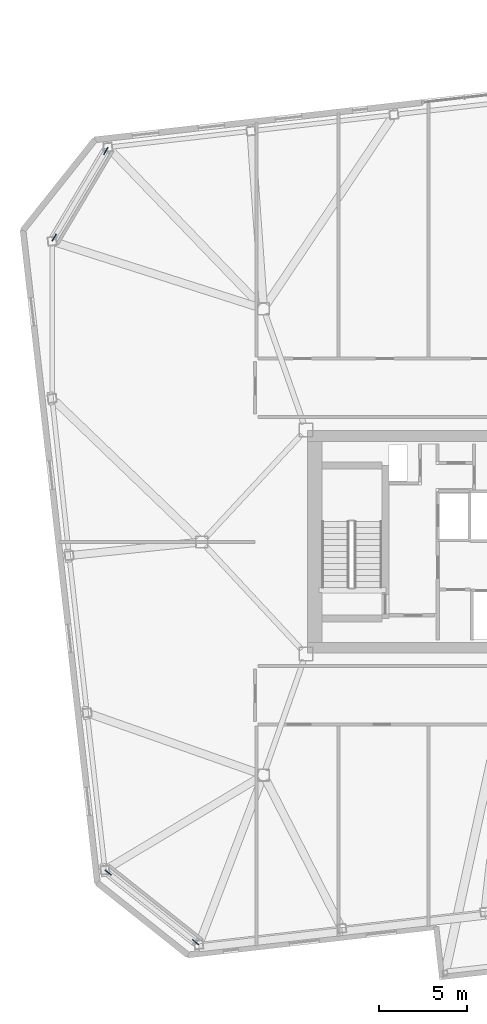
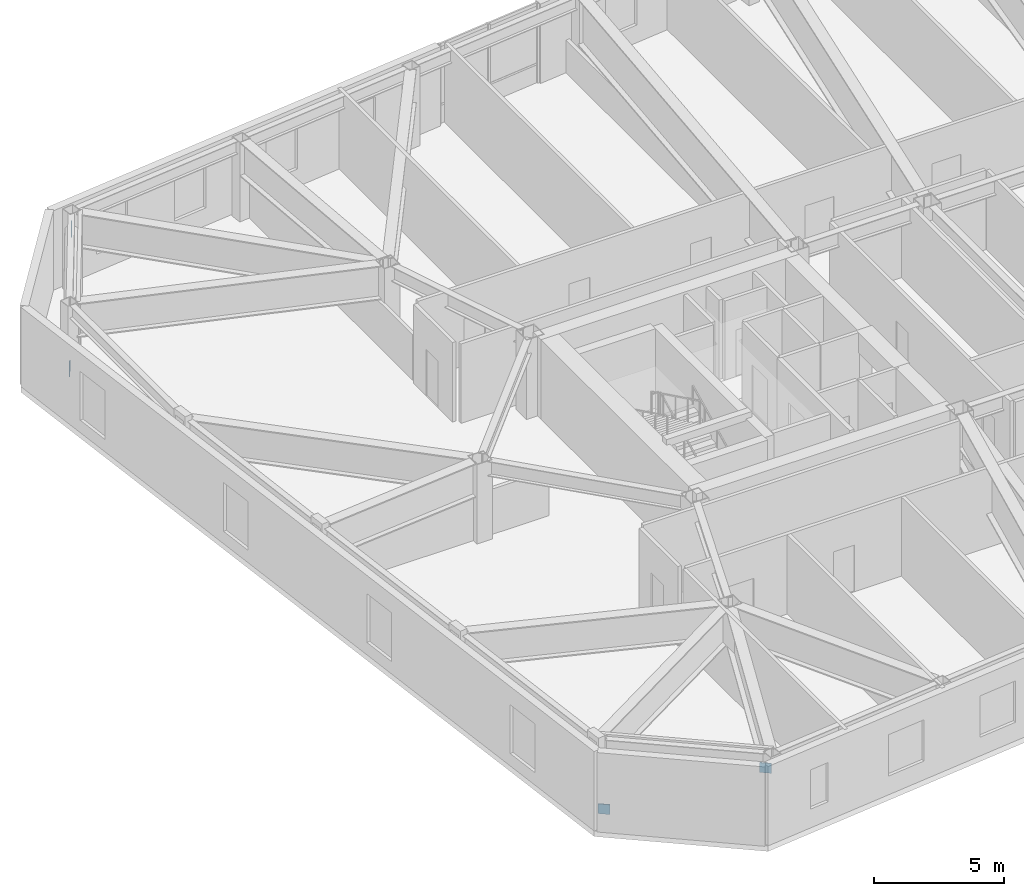
# One storey, part 16 of 18: 4 discrete accessories.
"""IFC4 building model written with IfcOpenShell, lengths in metres."""

from ifc_helpers import new_model, si_unit, direction, frame, origin, origin_2d, place, context, subcontext, project, spatial, rectangle, extrude, material, type_object, element, save


model = new_model("IFC4")

# Units and contexts
model_context = context("Model", 3, precision=1e-05, world=origin(), true_north=direction((0.0, 1.0)))
body_context = subcontext(model_context, "Body", "Model", "MODEL_VIEW")
ifc_project = project(units=[si_unit("LENGTHUNIT", "METRE"), si_unit("AREAUNIT", "SQUARE_METRE"), si_unit("VOLUMEUNIT", "CUBIC_METRE"), si_unit("PLANEANGLEUNIT", "RADIAN"), si_unit("MASSUNIT", "GRAM", prefix="KILO")], contexts=[model_context])

# Site, building, storey
site_placement = place(None, origin())
site = spatial("IfcSite", under=ifc_project, at=site_placement, CompositionType="ELEMENT")
building_placement = place(site_placement, origin())
building = spatial("IfcBuilding", under=site, at=building_placement, Name="Tavrogorsk Clinical Tower", CompositionType="ELEMENT")
storey_placement = place(building_placement, frame((0.0, 0.0, 222.199951171875)))
storey = spatial("IfcBuildingStorey", under=building, at=storey_placement, Name="L51", CompositionType="ELEMENT", Elevation=222.199951171875)

# Discrete accessories
ifc_material = material(Name="Structural steel S440", Category="steel")
discrete_accessory_type = type_object("IfcDiscreteAccessoryType", Name="GussetPlateBracket_25", PredefinedType="BRACKET", material=ifc_material)
for number, where, z_axis, x_axis, name in (
    (1, (-36.349853515625, 17.23486328125, 0.17626953125), (0.0, 0.0, 1.0), (0.511443073004, 0.859317160934, 0.0), "L51 Brace Gusset Plate EXOCRN-L51-3-A"),
    (2, (-33.428955078125, 22.143310546875, 2.75390625), (0.0, 0.0, 1.0), (0.511443073004, 0.859317160934, 0.0), "L51 Brace Gusset Plate EXOCRN-L51-3-B"),
    (3, (-33.29052734375, -18.725341796875, 0.168212890625), (0.0, 0.0, 1.0), (0.782608156852, -0.622514636638, 0.0), "L51 Brace Gusset Plate EXOCRN-L51-4-A"),
    (4, (-28.3515625, -22.654052734375, 2.761962890625), (0.0, 0.0, 1.0), (0.782608156852, -0.622514636638, 0.0), "L51 Brace Gusset Plate EXOCRN-L51-4-B"),
):
    element("IfcDiscreteAccessory", number, at=place(storey_placement, frame(where, z_axis=z_axis, x_axis=x_axis)), inside=storey, type_object=discrete_accessory_type, Name=name, PredefinedType="BRACKET", context=body_context, shape_type="SweptSolid", body=[
        extrude(rectangle(XDim=0.4599609375, YDim=0.0400390625, at=origin_2d()), origin(), (0.0, 0.0, 1.0), 0.4599609375),
    ])

save(model, "model.ifc")
